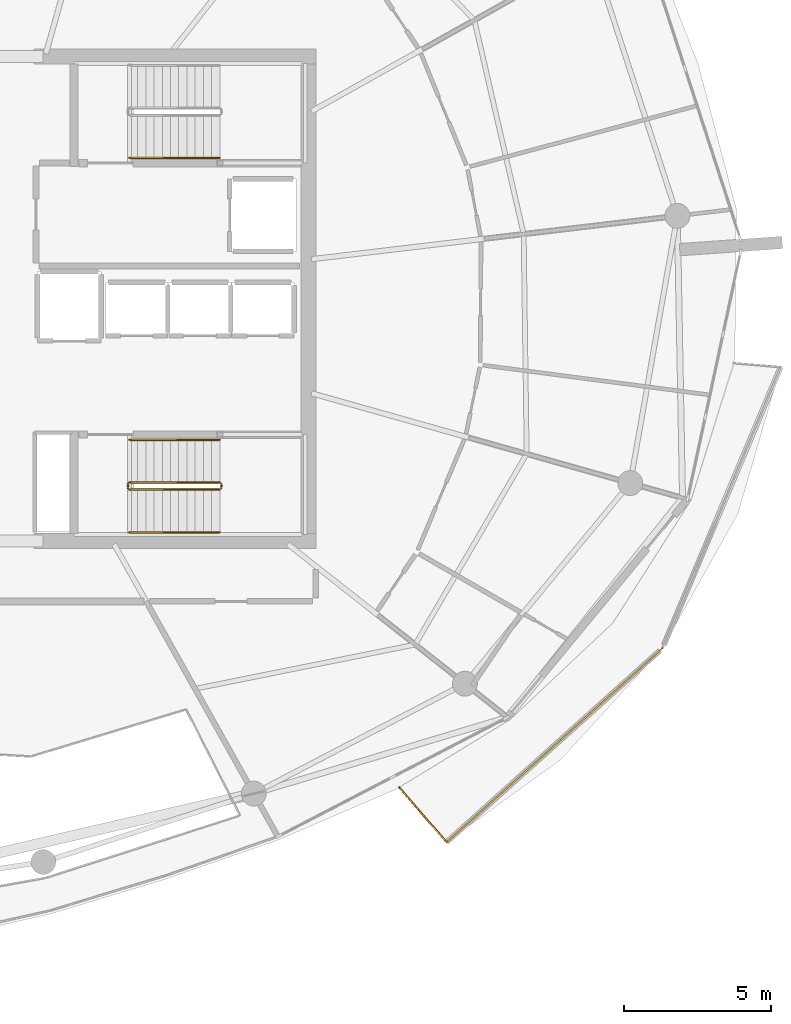
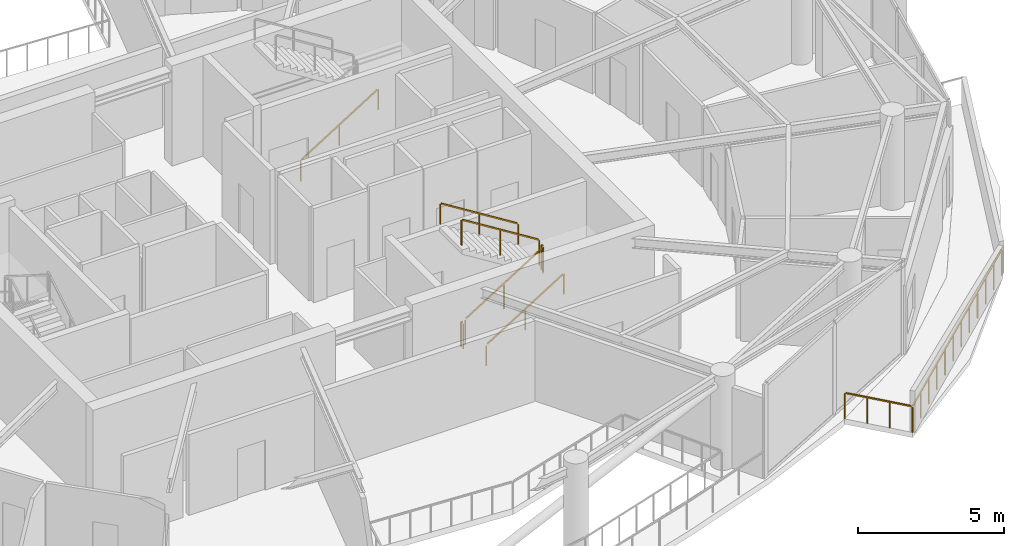
# One storey, part 20 of 22: 9 railings.
"""IFC4 building model written with IfcOpenShell, lengths in metres."""

import ifcopenshell
import ifcopenshell.guid

model = None  # the IFC model being written
_history = None  # IfcOwnerHistory: only IFC2X3 demands one
_inside = {}  # id of a spatial element -> (the spatial element, [elements in it])
_under = {}  # id of a project, library or spatial element -> (it, [spatial elements below it])
_declared = {}  # id of a project -> (the project, [libraries it declares])
_typed = {}  # id of a type object -> (the type object, [elements of that type])
_made_of = {}  # id of a material, layer set ... -> (it, [elements and type objects made of it])


def new_model(schema):
    """Start an empty IFC model of exactly this schema.

    Asked for "IFC4X3", IfcOpenShell would pick the latest addendum, in which some entities
    have other attributes; the version numbers below select the first issue.
    IFC2X3 requires an IfcOwnerHistory on every rooted entity: one is made here for all.
    """
    global model, _history
    if schema == "IFC4X3":
        model = ifcopenshell.file(schema_version=(4, 3, 0, 0))
    else:
        model = ifcopenshell.file(schema=schema)
    _inside.clear()
    _under.clear()
    _declared.clear()
    _typed.clear()
    _made_of.clear()
    _history = None
    if model.schema == "IFC2X3":
        org = make("IfcOrganization", Name="unknown")
        user = make(
            "IfcPersonAndOrganization",
            ThePerson=make("IfcPerson", FamilyName="unknown"),
            TheOrganization=org,
        )
        app = make(
            "IfcApplication",
            ApplicationDeveloper=org,
            Version="unknown",
            ApplicationFullName="unknown",
            ApplicationIdentifier="unknown",
        )
        _history = make(
            "IfcOwnerHistory",
            OwningUser=user,
            OwningApplication=app,
            ChangeAction="ADDED",
            CreationDate=0,
        )
    return model


def make(cls, **values):
    """One entity of the class cls with the attributes given. An attribute that is None is left unset."""
    return model.create_entity(
        cls, **{name: value for name, value in values.items() if value is not None}
    )


def rooted(cls, **values):
    """An entity with a GlobalId (a new one), such as an element, a storey or a relation."""
    return make(cls, GlobalId=ifcopenshell.guid.new(), OwnerHistory=_history, **values)


def si_unit(unit_type, name, prefix=None):
    """IfcSIUnit, for example si_unit("LENGTHUNIT", "METRE", prefix="MILLI")."""
    return make("IfcSIUnit", UnitType=unit_type, Prefix=prefix, Name=name)


def assignment(units):
    """IfcUnitAssignment: the units of a project."""
    return None if units is None else make("IfcUnitAssignment", Units=units)


def point(xyz):
    """IfcCartesianPoint."""
    return None if xyz is None else make("IfcCartesianPoint", Coordinates=xyz)


def direction(xyz):
    """IfcDirection."""
    return None if xyz is None else make("IfcDirection", DirectionRatios=xyz)


def frame(location, z_axis=None, x_axis=None):
    """IfcAxis2Placement3D, a coordinate frame: its origin and axes. An axis left out is left unset."""
    return make(
        "IfcAxis2Placement3D",
        Location=point(location),
        Axis=direction(z_axis),
        RefDirection=direction(x_axis),
    )


def frame_2d(location, x_axis=None):
    """IfcAxis2Placement2D, a coordinate frame in the plane: its origin and x axis."""
    return make(
        "IfcAxis2Placement2D", Location=point(location), RefDirection=direction(x_axis)
    )


def origin():
    """The frame at (0, 0, 0) with its axes left unset."""
    return frame((0.0, 0.0, 0.0))


def origin_2d():
    """The frame at (0, 0) in the plane with its x axis left unset."""
    return frame_2d((0.0, 0.0))


def place(relative_to, where):
    """IfcLocalPlacement: puts the frame where relative to a parent placement (None: the world)."""
    return make(
        "IfcLocalPlacement", PlacementRelTo=relative_to, RelativePlacement=where
    )


def context(
    kind, dimensions, precision=None, world=None, true_north=None, identifier=None
):
    """IfcGeometricRepresentationContext, for example the 3D "Model" context."""
    return make(
        "IfcGeometricRepresentationContext",
        ContextIdentifier=identifier,
        ContextType=kind,
        CoordinateSpaceDimension=dimensions,
        Precision=precision,
        WorldCoordinateSystem=world,
        TrueNorth=true_north,
    )


def subcontext(parent, identifier, kind, view, scale=None):
    """IfcGeometricRepresentationSubContext, for example "Body" below "Model"."""
    return make(
        "IfcGeometricRepresentationSubContext",
        ContextIdentifier=identifier,
        ContextType=kind,
        ParentContext=parent,
        TargetScale=scale,
        TargetView=view,
    )


def project(units=None, contexts=None):
    """IfcProject with its units and contexts."""
    return rooted(
        "IfcProject",
        Name="project",
        RepresentationContexts=contexts,
        UnitsInContext=assignment(units),
    )


def spatial(cls, under=None, at=None, **own):
    """A site, building, storey or space (cls), placed at a placement, below another one or the project."""
    s = rooted(cls, ObjectPlacement=at, **own)
    if under is not None:
        _under.setdefault(under.id(), (under, []))[1].append(s)
    return s


def profile(cls, at=None, kind="AREA", **sizes):
    """A parametric profile (cls). Its sizes go by their IFC names, for example OverallWidth=200.0."""
    return make(cls, ProfileType=kind, Position=at, **sizes)


def rectangle(**sizes):
    """IfcRectangleProfileDef."""
    return profile("IfcRectangleProfileDef", **sizes)


def extrude(swept, where, along, depth):
    """IfcExtrudedAreaSolid: the profile swept, set in the frame where, extruded along a direction by depth."""
    return make(
        "IfcExtrudedAreaSolid",
        SweptArea=swept,
        Position=where,
        ExtrudedDirection=direction(along),
        Depth=depth,
    )


def shape(context_of_items, identifier, shape_type, items):
    """IfcShapeRepresentation: the items that make up one representation, for example the "Body"."""
    return make(
        "IfcShapeRepresentation",
        ContextOfItems=context_of_items,
        RepresentationIdentifier=identifier,
        RepresentationType=shape_type,
        Items=items,
    )


def material(Name=None, Category=None):
    """IfcMaterial."""
    return make("IfcMaterial", Name=Name, Category=Category)


def made_of(thing, what):
    """Note that an element or type object is made of a material, layer set ...; save() writes the relation."""
    if what is not None:
        _made_of.setdefault(what.id(), (what, []))[1].append(thing)
    return thing


def type_object(cls, material=None, **own):
    """A type object (cls), such as IfcWallType, which elements share."""
    return made_of(rooted(cls, **own), material)


def element(
    cls,
    number,
    at=None,
    inside=None,
    cuts=None,
    type_object=None,
    material=None,
    context=None,
    identifier="Body",
    shape_type=None,
    held_by="IfcProductDefinitionShape",
    body=None,
    shapes=None,
    **own,
):
    """One element of the class cls, such as IfcWall. Its Tag is "e" and its number.

    at: its placement. inside: the storey or other place that contains it. cuts: it is an
    opening in that element (IfcRelVoidsElement). A single representation is given by context,
    identifier, shape_type and body (its items); several are given by shapes. held_by: the class
    of the entity that holds the representations. save() writes the other relations.
    """
    e = rooted(cls, Tag="e%d" % number, ObjectPlacement=at, **own)
    if body is not None:
        shapes = [shape(context, identifier, shape_type, body)]
    if shapes is not None:
        e.Representation = make(held_by, Representations=shapes)
    if inside is not None:
        _inside.setdefault(inside.id(), (inside, []))[1].append(e)
    if cuts is not None:
        rooted(
            "IfcRelVoidsElement", RelatingBuildingElement=cuts, RelatedOpeningElement=e
        )
    if type_object is not None:
        _typed.setdefault(type_object.id(), (type_object, []))[1].append(e)
    return made_of(e, material)


def aggregate(whole, parts):
    """IfcRelAggregates: a whole, such as a stair, and the parts it consists of."""
    return rooted("IfcRelAggregates", RelatingObject=whole, RelatedObjects=parts)


def save(model, path):
    """Write the relations noted so far, then the file.

    IfcRelAggregates (storeys below a building ...), IfcRelContainedInSpatialStructure (elements
    in a storey), IfcRelDefinesByType, IfcRelAssociatesMaterial and IfcRelDeclares: one each for
    every whole, place, type object, material and project.
    """
    for whole, parts in _under.values():
        aggregate(whole, parts)
    for where, things in _inside.values():
        rooted(
            "IfcRelContainedInSpatialStructure",
            RelatedElements=things,
            RelatingStructure=where,
        )
    for kind, things in _typed.values():
        rooted("IfcRelDefinesByType", RelatedObjects=things, RelatingType=kind)
    for what, things in _made_of.values():
        rooted("IfcRelAssociatesMaterial", RelatedObjects=things, RelatingMaterial=what)
    for by, libraries in _declared.values():
        rooted("IfcRelDeclares", RelatingContext=by, RelatedDefinitions=libraries)
    model.write(path)


model = new_model("IFC4")

# Units and contexts
model_context = context("Model", 3, precision=1e-05, world=origin(), true_north=direction((0.0, 1.0)))
body_context = subcontext(model_context, "Body", "Model", "MODEL_VIEW")
ifc_project = project(units=[si_unit("LENGTHUNIT", "METRE"), si_unit("AREAUNIT", "SQUARE_METRE"), si_unit("VOLUMEUNIT", "CUBIC_METRE"), si_unit("PLANEANGLEUNIT", "RADIAN"), si_unit("MASSUNIT", "GRAM", prefix="KILO")], contexts=[model_context])

# Site, building, storey
site_placement = place(None, origin())
site = spatial("IfcSite", under=ifc_project, at=site_placement, CompositionType="ELEMENT")
building_placement = place(site_placement, origin())
building = spatial("IfcBuilding", under=site, at=building_placement, Name="Kazma Halo Residences", CompositionType="ELEMENT")
storey_placement = place(building_placement, frame((0.0, 0.0, 322.10009765625)))
storey = spatial("IfcBuildingStorey", under=building, at=storey_placement, Name="L81", CompositionType="ELEMENT", Elevation=322.10009765625)

# Railings
ifc_material_1 = material(Name="Aluminium AW-6063 T6 Brushed Cap Rail", Category="aluminium")
railing_type_1 = type_object("IfcRailingType", Name="RLG-BAL-CAP-1120", PredefinedType="BALUSTRADE", material=ifc_material_1)
railing_1_placement = place(storey_placement, frame((62.38818359375, 25.360595703125, 0.0)))
element("IfcRailing", 1, at=railing_1_placement, inside=storey, type_object=railing_type_1, Name="L81 SE wave balcony guard 1", PredefinedType="BALUSTRADE", context=body_context, shape_type="SweptSolid", body=[
    extrude(rectangle(XDim=0.050048828125, YDim=0.050048828125, at=origin_2d()), frame((0.02783203125, -0.0322265625, 1.09521484375), z_axis=(0.654083132411, -0.756422670136, 0.0), x_axis=(0.756422670136, 0.654083132411, 0.0)), (0.0, 0.0, 1.0), 2.384033203125),
    extrude(rectangle(XDim=0.0400390625, YDim=0.0400390625, at=origin_2d()), origin(), (0.0, 0.0, 1.0), 1.05810546875),
    extrude(rectangle(XDim=0.0400390625, YDim=0.0400390625, at=origin_2d()), frame((0.538330078125, -0.62255859375, 0.0)), (0.0, 0.0, 1.0), 1.05810546875),
    extrude(rectangle(XDim=0.0400390625, YDim=0.0400390625, at=origin_2d()), frame((1.07666015625, -1.2451171875, 0.0)), (0.0, 0.0, 1.0), 1.05810546875),
    extrude(rectangle(XDim=0.0400390625, YDim=0.0400390625, at=origin_2d()), frame((1.614990234375, -1.86767578125, 0.0)), (0.0, 0.0, 1.0), 1.05810546875),
])
railing_2_placement = place(storey_placement, frame((64.003173828125, 23.492919921875, 0.0)))
element("IfcRailing", 2, at=railing_2_placement, inside=storey, type_object=railing_type_1, Name="L81 SE wave balcony guard 2", PredefinedType="BALUSTRADE", context=body_context, shape_type="SweptSolid", body=[
    extrude(rectangle(XDim=0.050048828125, YDim=0.050048828125, at=origin_2d()), frame((0.03173828125, 0.0283203125, 1.09521484375), z_axis=(0.743895596827, 0.668295848424, 0.0), x_axis=(-0.668295848424, 0.743895596827, 0.0)), (0.0, 0.0, 1.0), 9.800048828125),
    extrude(rectangle(XDim=0.0400390625, YDim=0.0400390625, at=origin_2d()), origin(), (0.0, 0.0, 1.0), 1.05810546875),
    extrude(rectangle(XDim=0.0400390625, YDim=0.0400390625, at=origin_2d()), frame((0.66845703125, 0.6005859375, 0.0)), (0.0, 0.0, 1.0), 1.05810546875),
    extrude(rectangle(XDim=0.0400390625, YDim=0.0400390625, at=origin_2d()), frame((1.3369140625, 1.201171875, 0.0)), (0.0, 0.0, 1.0), 1.05810546875),
    extrude(rectangle(XDim=0.0400390625, YDim=0.0400390625, at=origin_2d()), frame((2.005615234375, 1.8017578125, 0.0)), (0.0, 0.0, 1.0), 1.05810546875),
    extrude(rectangle(XDim=0.0400390625, YDim=0.0400390625, at=origin_2d()), frame((2.674072265625, 2.40234375, 0.0)), (0.0, 0.0, 1.0), 1.05810546875),
    extrude(rectangle(XDim=0.0400390625, YDim=0.0400390625, at=origin_2d()), frame((3.342529296875, 3.0029296875, 0.0)), (0.0, 0.0, 1.0), 1.05810546875),
    extrude(rectangle(XDim=0.0400390625, YDim=0.0400390625, at=origin_2d()), frame((4.010986328125, 3.603271484375, 0.0)), (0.0, 0.0, 1.0), 1.05810546875),
    extrude(rectangle(XDim=0.0400390625, YDim=0.0400390625, at=origin_2d()), frame((4.679443359375, 4.203857421875, 0.0)), (0.0, 0.0, 1.0), 1.05810546875),
    extrude(rectangle(XDim=0.0400390625, YDim=0.0400390625, at=origin_2d()), frame((5.347900390625, 4.804443359375, 0.0)), (0.0, 0.0, 1.0), 1.05810546875),
    extrude(rectangle(XDim=0.0400390625, YDim=0.0400390625, at=origin_2d()), frame((6.0166015625, 5.405029296875, 0.0)), (0.0, 0.0, 1.0), 1.05810546875),
    extrude(rectangle(XDim=0.0400390625, YDim=0.0400390625, at=origin_2d()), frame((6.68505859375, 6.005615234375, 0.0)), (0.0, 0.0, 1.0), 1.05810546875),
    extrude(rectangle(XDim=0.0400390625, YDim=0.0400390625, at=origin_2d()), frame((7.353515625, 6.606201171875, 0.0)), (0.0, 0.0, 1.0), 1.05810546875),
])
ifc_material_2 = material(Name="Painted Steel S355", Category="steel")
railing_type_2 = type_object("IfcRailingType", Name="RLG-STAIR-GRD-1100", PredefinedType="GUARDRAIL", material=ifc_material_2)
railing_3_placement = place(storey_placement, frame((53.199951171875, 35.5, 0.1748046875)))
element("IfcRailing", 3, at=railing_3_placement, inside=storey, type_object=railing_type_2, Name="L81 ST-03 stair guard 1", PredefinedType="GUARDRAIL", context=body_context, shape_type="SweptSolid", body=[
    extrude(rectangle(XDim=0.050048828125, YDim=0.050048828125, at=origin_2d()), frame((0.0361328125, 0.0, 1.09765625), z_axis=(0.847998304005, 0.0, 0.529998940003), x_axis=(0.0, 1.0, 0.0)), (0.0, 0.0, 1.0), 3.547119140625),
    extrude(rectangle(XDim=0.0400390625, YDim=0.0400390625, at=origin_2d()), origin(), (0.0, 0.0, 1.0), 1.0380859375),
    extrude(rectangle(XDim=0.0400390625, YDim=0.0400390625, at=origin_2d()), frame((1.5400390625, 0.0, 0.96240234375)), (0.0, 0.0, 1.0), 1.0380859375),
    extrude(rectangle(XDim=0.0400390625, YDim=0.0400390625, at=origin_2d()), frame((3.080078125, 0.0, 1.925048828125)), (0.0, 0.0, 1.0), 1.0380859375),
])
railing_4_placement = place(storey_placement, frame((56.330078125, 35.550048828125, 2.099853515625)))
element("IfcRailing", 4, at=railing_4_placement, inside=storey, type_object=railing_type_2, Name="L81 ST-03 stair guard 2", PredefinedType="GUARDRAIL", context=body_context, shape_type="SweptSolid", body=[
    extrude(rectangle(XDim=0.050048828125, YDim=0.050048828125, at=origin_2d()), frame((0.0, 0.04248046875, 1.0751953125), z_axis=(0.0, 1.0, 0.0), x_axis=(-1.0, 0.0, 0.0)), (0.0, 0.0, 1.0), 0.06494140625),
    extrude(rectangle(XDim=0.0400390625, YDim=0.0400390625, at=origin_2d()), origin(), (0.0, 0.0, 1.0), 1.0380859375),
    extrude(rectangle(XDim=0.0400390625, YDim=0.0400390625, at=origin_2d()), frame((0.0, 0.14990234375, 0.0)), (0.0, 0.0, 1.0), 1.0380859375),
])
railing_5_placement = place(storey_placement, frame((56.280029296875, 35.75, 2.27490234375)))
element("IfcRailing", 5, at=railing_5_placement, inside=storey, type_object=railing_type_2, Name="L81 ST-03 stair guard 3", PredefinedType="GUARDRAIL", context=body_context, shape_type="SweptSolid", body=[
    extrude(rectangle(XDim=0.050048828125, YDim=0.050048828125, at=origin_2d()), frame((-0.0361328125, 0.0, 1.09765625), z_axis=(-0.847998304005, 0.0, 0.529998940003), x_axis=(0.0, -1.0, 0.0)), (0.0, 0.0, 1.0), 3.547119140625),
    extrude(rectangle(XDim=0.0400390625, YDim=0.0400390625, at=origin_2d()), origin(), (0.0, 0.0, 1.0), 1.0380859375),
    extrude(rectangle(XDim=0.0400390625, YDim=0.0400390625, at=origin_2d()), frame((-1.5400390625, 0.0, 0.96240234375)), (0.0, 0.0, 1.0), 1.0380859375),
    extrude(rectangle(XDim=0.0400390625, YDim=0.0400390625, at=origin_2d()), frame((-3.080078125, 0.0, 1.925048828125)), (0.0, 0.0, 1.0), 1.0380859375),
])
railing_6_placement = place(storey_placement, frame((53.14990234375, 35.550048828125, 0.0)))
element("IfcRailing", 6, at=railing_6_placement, inside=storey, type_object=railing_type_2, Name="L81 ST-03 stair guard 4", PredefinedType="GUARDRAIL", context=body_context, shape_type="SweptSolid", body=[
    extrude(rectangle(XDim=0.050048828125, YDim=0.050048828125, at=origin_2d()), frame((0.0, 0.04248046875, 1.0751953125), z_axis=(0.0, 1.0, 0.0), x_axis=(-1.0, 0.0, 0.0)), (0.0, 0.0, 1.0), 0.06494140625),
    extrude(rectangle(XDim=0.0400390625, YDim=0.0400390625, at=origin_2d()), origin(), (0.0, 0.0, 1.0), 1.0380859375),
    extrude(rectangle(XDim=0.0400390625, YDim=0.0400390625, at=origin_2d()), frame((0.0, 0.14990234375, 0.0)), (0.0, 0.0, 1.0), 1.0380859375),
])
ifc_material_3 = material(Name="Brushed Stainless Steel", Category="steel")
railing_type_3 = type_object("IfcRailingType", Name="RLG-STAIR-HND-900", PredefinedType="HANDRAIL", material=ifc_material_3)
for number, where, name in (
    (7, (53.199951171875, 46.800048828125, 0.1748046875), "L81 ST-02 stair handrail 1"),
    (8, (53.199951171875, 34.050048828125, 0.1748046875), "L81 ST-03 stair handrail 1"),
):
    element("IfcRailing", number, at=place(storey_placement, frame(where)), inside=storey, type_object=railing_type_3, Name=name, PredefinedType="HANDRAIL", context=body_context, shape_type="SweptSolid", body=[
        extrude(rectangle(XDim=0.050048828125, YDim=0.050048828125, at=origin_2d()), frame((0.0361328125, 0.0, 0.8974609375), z_axis=(0.847998304005, 0.0, 0.529998940003), x_axis=(0.0, 1.0, 0.0)), (0.0, 0.0, 1.0), 3.547119140625),
        extrude(rectangle(XDim=0.0400390625, YDim=0.0400390625, at=origin_2d()), origin(), (0.0, 0.0, 1.0), 0.837890625),
        extrude(rectangle(XDim=0.0400390625, YDim=0.0400390625, at=origin_2d()), frame((1.5400390625, 0.0, 0.96240234375)), (0.0, 0.0, 1.0), 0.837890625),
        extrude(rectangle(XDim=0.0400390625, YDim=0.0400390625, at=origin_2d()), frame((3.080078125, 0.0, 1.925048828125)), (0.0, 0.0, 1.0), 0.837890625),
    ])
railing_7_placement = place(storey_placement, frame((56.280029296875, 37.199951171875, 2.27490234375)))
element("IfcRailing", 9, at=railing_7_placement, inside=storey, type_object=railing_type_3, Name="L81 ST-03 stair handrail 2", PredefinedType="HANDRAIL", context=body_context, shape_type="SweptSolid", body=[
    extrude(rectangle(XDim=0.050048828125, YDim=0.050048828125, at=origin_2d()), frame((-0.0361328125, 0.0, 0.8974609375), z_axis=(-0.847998304005, 0.0, 0.529998940003), x_axis=(0.0, -1.0, 0.0)), (0.0, 0.0, 1.0), 3.547119140625),
    extrude(rectangle(XDim=0.0400390625, YDim=0.0400390625, at=origin_2d()), origin(), (0.0, 0.0, 1.0), 0.837890625),
    extrude(rectangle(XDim=0.0400390625, YDim=0.0400390625, at=origin_2d()), frame((-1.5400390625, 0.0, 0.96240234375)), (0.0, 0.0, 1.0), 0.837890625),
    extrude(rectangle(XDim=0.0400390625, YDim=0.0400390625, at=origin_2d()), frame((-3.080078125, 0.0, 1.925048828125)), (0.0, 0.0, 1.0), 0.837890625),
])

save(model, "model.ifc")
